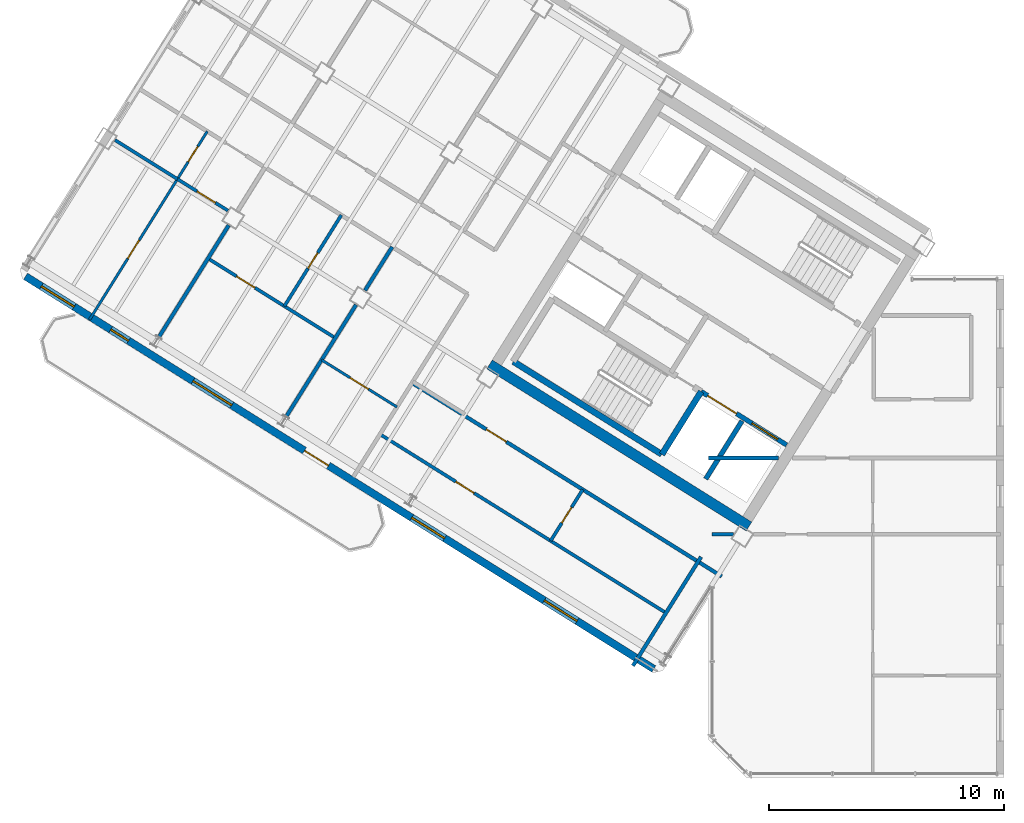
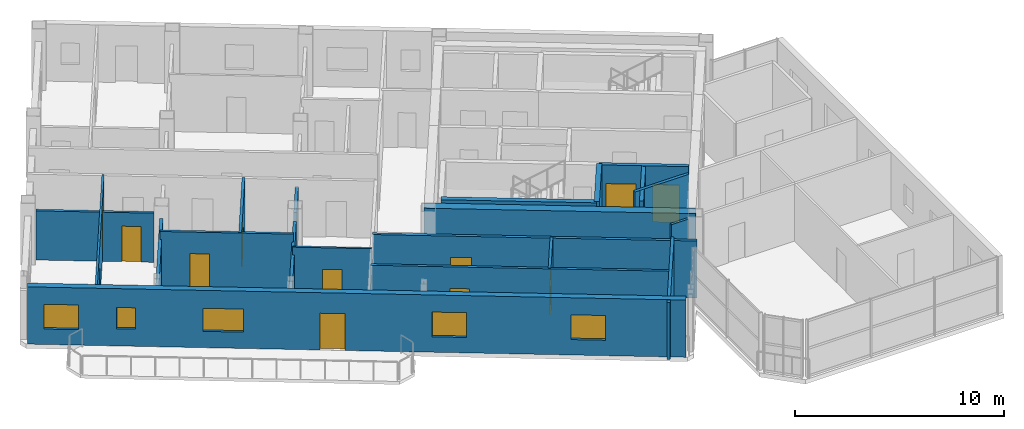
# One storey, part 8 of 14: 21 walls, 12 doors, 5 windows, 17 openings.
"""IFC4 building model written with IfcOpenShell, lengths in metres."""

from ifc_helpers import new_model, si_unit, direction, frame, frame_2d, origin, place, context, subcontext, project, spatial, rectangle, extrude, source, transform, mapped, material, layer, layer_set, type_object, element, fill, save


model = new_model("IFC4")

# Units and contexts
model_context = context("Model", 3, precision=1e-05, world=origin(), true_north=direction((0.0, 1.0)))
body_context = subcontext(model_context, "Body", "Model", "MODEL_VIEW")
ifc_project = project(units=[si_unit("LENGTHUNIT", "METRE"), si_unit("AREAUNIT", "SQUARE_METRE"), si_unit("VOLUMEUNIT", "CUBIC_METRE"), si_unit("PLANEANGLEUNIT", "RADIAN"), si_unit("MASSUNIT", "GRAM", prefix="KILO")], contexts=[model_context])

# Site, building, storey
site_placement = place(None, origin())
site = spatial("IfcSite", under=ifc_project, at=site_placement, CompositionType="ELEMENT")
building_placement = place(site_placement, origin())
building = spatial("IfcBuilding", under=site, at=building_placement, Name="Tlacorven Tower", CompositionType="ELEMENT")
storey_placement = place(building_placement, frame((0.0, 0.0, 273.60009765625)))
storey = spatial("IfcBuildingStorey", under=building, at=storey_placement, Name="L69", CompositionType="ELEMENT", Elevation=273.60009765625)

# Walls
ifc_material_1 = material(Name="Concrete C50/60", Category="concrete")
ifc_layer_1 = layer(ifc_material_1, 0.449951171875)
ifc_layer_set_1 = layer_set([ifc_layer_1], Name="Concrete C50/60")
wall_type_1 = type_object("IfcWallType", Name="WL-COR-450", PredefinedType="SHEAR", material=ifc_layer_set_1)
wall_1_placement = place(storey_placement, frame((33.32373046875, 12.5029296875, 0.0), z_axis=(0.0, 0.0, 1.0), x_axis=(-0.848043529849, 0.529926571782, 0.0)))
element("IfcWall", 1, at=wall_1_placement, inside=storey, type_object=wall_type_1, Name="L69 W core shear wall S2", PredefinedType="SHEAR", context=body_context, shape_type="SweptSolid", body=[
    extrude(rectangle(XDim=13.039794921875, YDim=0.449951171875, at=frame_2d((6.52001953125, 0.0))), origin(), (0.0, 0.0, 1.0), 3.349853515625),
])
ifc_material_2 = material(Name="Gypsum plasterboard acoustic partition", Category="gypsum")
ifc_layer_2 = layer(ifc_material_2, 0.159912109375)
ifc_layer_set_2 = layer_set([ifc_layer_2], Name="Gypsum plasterboard acoustic partition")
wall_type_2 = type_object("IfcWallType", Name="WL-DEM-160", PredefinedType="PARTITIONING", material=ifc_layer_set_2)
wall_2_placement = place(storey_placement, frame((18.114990234375, 24.423828125, 0.0), z_axis=(0.0, 0.0, 1.0), x_axis=(-0.529998940003, -0.847998304005, 0.0)))
element("IfcWall", 2, at=wall_2_placement, inside=storey, type_object=wall_type_2, Name="L69 WN Demising Wall 1", PredefinedType="PARTITIONING", context=body_context, shape_type="SweptSolid", body=[
    extrude(rectangle(XDim=2.18798828125, YDim=0.159912109375, at=frame_2d((1.093994140625, 0.0))), origin(), (0.0, 0.0, 1.0), 2.875),
])
for number, where, z_axis, x_axis, name in (
    (3, (16.57177734375, 21.954345703125, 0.0), (0.0, 0.0, 1.0), (-0.529904903214, -0.848057069748, 0.0), "L69 WN Demising Wall 1"),
    (4, (11.144287109375, 25.345947265625, 0.0), (0.0, 0.0, 1.0), (-0.529904903214, -0.848057069748, 0.0), "L69 WN Demising Wall 2"),
):
    element("IfcWall", number, at=place(storey_placement, frame(where, z_axis=z_axis, x_axis=x_axis)), inside=storey, type_object=wall_type_2, Name=name, PredefinedType="PARTITIONING", context=body_context, shape_type="SweptSolid", body=[
        extrude(rectangle(XDim=5.60107421875, YDim=0.159912109375, at=frame_2d((2.800537109375, 0.0))), origin(), (0.0, 0.0, 1.0), 2.875),
    ])

# Wall, opening, door
wall_3_placement = place(storey_placement, frame((32.164306640625, 10.373779296875, 0.0), z_axis=(0.0, 0.0, 1.0), x_axis=(-0.848044107957, 0.529925646633, 0.0)))
wall_3 = element("IfcWall", 5, at=wall_3_placement, inside=storey, type_object=wall_type_2, Name="L69 partition 45", PredefinedType="PARTITIONING", context=body_context, shape_type="SweptSolid", body=[
    extrude(rectangle(XDim=15.570068359375, YDim=0.159912109375, at=frame_2d((7.78515625, 0.0))), origin(), (0.0, 0.0, 1.0), 3.33984375),
])
opening_1_placement = place(wall_3_placement, frame((10.830078125, 0.0, 0.0)))
opening_1 = element("IfcOpeningElement", 6, at=opening_1_placement, cuts=wall_3, Name="Opening D11", PredefinedType="OPENING", context=body_context, shape_type="SweptSolid", body=[
    extrude(rectangle(XDim=1.0, YDim=2.10009765625, at=frame_2d((0.5, 1.050048828125))), frame((0.0, 0.08984375, 0.0), z_axis=(0.0, -1.0, 0.0), x_axis=(1.0, 0.0, 0.0)), (0.0, 0.0, 1.0), 0.179931640625),
])
ifc_material_3 = material(Name="Fire-rated steel door assembly", Category="steel")
door_type_1 = type_object("IfcDoorType", Name="DR-FLT-FD60-1000", OperationType="NOTDEFINED", PredefinedType="DOOR", material=ifc_material_3)
shared_shape_1 = source(origin(), body_context, "Body", "SweptSolid", [
    extrude(rectangle(XDim=1.0, YDim=2.10009765625, at=frame_2d((0.5, 1.050048828125))), frame((0.0, 0.02490234375, 0.0), z_axis=(0.0, -1.0, 0.0), x_axis=(1.0, 0.0, 0.0)), (0.0, 0.0, 1.0), 0.050048828125),
])
door_1_placement = place(opening_1_placement, origin())
door_1 = element("IfcDoor", 7, at=door_1_placement, inside=storey, type_object=door_type_1, Name="L69 door 033", OperationType="SINGLE_SWING_RIGHT", OverallHeight=2.10009765625, OverallWidth=1.0, PredefinedType="DOOR", context=body_context, shape_type="MappedRepresentation", body=[
    mapped(shared_shape_1, transform((0.0, 0.0, 0.0), scale=1.0)),
])
fill(opening_1, door_1)

# Walls
wall_4_placement = place(storey_placement, frame((31.282470703125, 11.2080078125, 0.0), z_axis=(0.0, 0.0, 1.0), x_axis=(-0.529938869374, -0.84803584519, 0.0)))
element("IfcWall", 8, at=wall_4_placement, inside=storey, type_object=wall_type_2, Name="L69 WC West Throat Wall", PredefinedType="PARTITIONING", context=body_context, shape_type="SweptSolid", body=[
    extrude(rectangle(XDim=5.47998046875, YDim=0.159912109375, at=frame_2d((2.739990234375, 0.0))), origin(), (0.0, 0.0, 1.0), 3.33984375),
])
wall_5_placement = place(storey_placement, frame((31.60009765625, 15.419921875, 0.0), z_axis=(0.0, 0.0, 1.0), x_axis=(1.0, 0.0, 0.0)))
element("IfcWall", 9, at=wall_5_placement, inside=storey, type_object=wall_type_2, Name="L69 Knuckle Corridor South Wall", PredefinedType="PARTITIONING", context=body_context, shape_type="SweptSolid", body=[
    extrude(rectangle(XDim=2.984130859375, YDim=0.159912109375, at=frame_2d((1.4921875, 0.0))), origin(), (0.0, 0.0, 1.0), 3.33984375),
])

# Wall, openings, door, windows
ifc_material_4 = material(Name="Precast concrete C45/55", Category="concrete")
ifc_layer_3 = layer(ifc_material_4, 0.320068359375)
ifc_layer_set_3 = layer_set([ifc_layer_3], Name="Precast concrete C45/55")
wall_type_3 = type_object("IfcWallType", Name="WL-EXT-320", PredefinedType="STANDARD", material=ifc_layer_set_3)
wall_6_placement = place(storey_placement, frame((29.267822265625, 6.429443359375, 0.0), z_axis=(0.0, 0.0, 1.0), x_axis=(-0.848049971435, 0.529916263149, 0.0)))
wall_6 = element("IfcWall", 10, at=wall_6_placement, inside=storey, type_object=wall_type_3, Name="L69 Masonry-Frame Recessed Facade Wall 2", PredefinedType="STANDARD", context=body_context, shape_type="SweptSolid", body=[
    extrude(rectangle(XDim=31.587646484375, YDim=0.320068359375, at=frame_2d((15.7939453125, 0.0))), origin(), (0.0, 0.0, 1.0), 3.349853515625),
])
opening_2_placement = place(wall_6_placement, frame((16.36181640625, 0.0, 0.0)))
opening_2 = element("IfcOpeningElement", 11, at=opening_2_placement, cuts=wall_6, Name="Opening D05", PredefinedType="OPENING", context=body_context, shape_type="SweptSolid", body=[
    extrude(rectangle(XDim=1.199951171875, YDim=2.14990234375, at=frame_2d((0.60009765625, 1.074951171875))), frame((0.0, 0.169921875, 0.0), z_axis=(0.0, -1.0, 0.0), x_axis=(1.0, 0.0, 0.0)), (0.0, 0.0, 1.0), 0.340087890625),
])
opening_3_placement = place(wall_6_placement, frame((3.858642578125, 0.0, 0.89990234375)))
opening_3 = element("IfcOpeningElement", 12, at=opening_3_placement, cuts=wall_6, Name="Opening WN07", PredefinedType="OPENING", context=body_context, shape_type="SweptSolid", body=[
    extrude(rectangle(XDim=1.64990234375, YDim=1.449951171875, at=frame_2d((0.824951171875, 0.72509765625))), frame((0.0, 0.169921875, 0.0), z_axis=(0.0, -1.0, 0.0), x_axis=(1.0, 0.0, 0.0)), (0.0, 0.0, 1.0), 0.340087890625),
])
opening_4_placement = place(wall_6_placement, frame((10.518798828125, 0.0, 0.89990234375)))
opening_4 = element("IfcOpeningElement", 13, at=opening_4_placement, cuts=wall_6, Name="Opening WN07", PredefinedType="OPENING", context=body_context, shape_type="SweptSolid", body=[
    extrude(rectangle(XDim=1.64990234375, YDim=1.449951171875, at=frame_2d((0.824951171875, 0.72509765625))), frame((0.0, 0.169921875, 0.0), z_axis=(0.0, -1.0, 0.0), x_axis=(1.0, 0.0, 0.0)), (0.0, 0.0, 1.0), 0.340087890625),
])
opening_5_placement = place(wall_6_placement, frame((21.21875, 0.0, 0.949951171875)))
opening_5 = element("IfcOpeningElement", 14, at=opening_5_placement, cuts=wall_6, Name="Opening WN09", PredefinedType="OPENING", context=body_context, shape_type="SweptSolid", body=[
    extrude(rectangle(XDim=1.949951171875, YDim=1.35009765625, at=frame_2d((0.97509765625, 0.675048828125))), frame((0.0, 0.169921875, 0.0), z_axis=(0.0, -1.0, 0.0), x_axis=(1.0, 0.0, 0.0)), (0.0, 0.0, 1.0), 0.340087890625),
])
opening_6_placement = place(wall_6_placement, frame((26.40625, 0.0, 1.0)))
opening_6 = element("IfcOpeningElement", 15, at=opening_6_placement, cuts=wall_6, Name="Opening WN05", PredefinedType="OPENING", context=body_context, shape_type="SweptSolid", body=[
    extrude(rectangle(XDim=0.89990234375, YDim=1.25, at=frame_2d((0.449951171875, 0.625))), frame((0.0, 0.169921875, 0.0), z_axis=(0.0, -1.0, 0.0), x_axis=(1.0, 0.0, 0.0)), (0.0, 0.0, 1.0), 0.340087890625),
])
opening_7_placement = place(wall_6_placement, frame((29.14306640625, 0.0, 0.89990234375)))
opening_7 = element("IfcOpeningElement", 16, at=opening_7_placement, cuts=wall_6, Name="Opening WN07", PredefinedType="OPENING", context=body_context, shape_type="SweptSolid", body=[
    extrude(rectangle(XDim=1.64990234375, YDim=1.449951171875, at=frame_2d((0.824951171875, 0.72509765625))), frame((0.0, 0.169921875, 0.0), z_axis=(0.0, -1.0, 0.0), x_axis=(1.0, 0.0, 0.0)), (0.0, 0.0, 1.0), 0.340087890625),
])
ifc_material_5 = material(Name="Powder-coated aluminium and timber door", Category="wood")
door_type_2 = type_object("IfcDoorType", Name="DR-EXT-BALC-1200", OperationType="NOTDEFINED", PredefinedType="DOOR", material=ifc_material_5)
shared_shape_2 = source(origin(), body_context, "Body", "SweptSolid", [
    extrude(rectangle(XDim=1.199951171875, YDim=2.14990234375, at=frame_2d((0.60009765625, 1.074951171875))), frame((0.0, 0.02490234375, 0.0), z_axis=(0.0, -1.0, 0.0), x_axis=(1.0, 0.0, 0.0)), (0.0, 0.0, 1.0), 0.050048828125),
])
door_2_placement = place(opening_2_placement, origin())
door_2 = element("IfcDoor", 17, at=door_2_placement, inside=storey, type_object=door_type_2, Name="L69 Outdoor Access Door BAL-L69-W-OUT", OperationType="SINGLE_SWING_LEFT", OverallHeight=2.14990234375, OverallWidth=1.199951171875, PredefinedType="DOOR", context=body_context, shape_type="MappedRepresentation", body=[
    mapped(shared_shape_2, transform((0.0, 0.0, 0.0), scale=1.0)),
])
fill(opening_2, door_2)
ifc_material_6 = material(Name="Dark solar low-E double glazing in anodised aluminium frame", Category="aluminium")
window_type_1 = type_object("IfcWindowType", Name="WN-APT-0900X1350", PartitioningType="SINGLE_PANEL", PredefinedType="WINDOW", material=ifc_material_6)
shared_shape_3 = source(origin(), body_context, "Body", "SweptSolid", [
    extrude(rectangle(XDim=0.89990234375, YDim=1.25, at=frame_2d((0.449951171875, 0.625))), frame((0.0, 0.030029296875, 0.0), z_axis=(0.0, -1.0, 0.0), x_axis=(1.0, 0.0, 0.0)), (0.0, 0.0, 1.0), 0.06005859375),
])
window_1_placement = place(opening_6_placement, origin())
window_1 = element("IfcWindow", 18, at=window_1_placement, inside=storey, type_object=window_type_1, Name="L69 Recessed Masonry-Frame Window L69-02.4", OverallHeight=1.25, OverallWidth=0.89990234375, PartitioningType="SINGLE_PANEL", PredefinedType="WINDOW", context=body_context, shape_type="MappedRepresentation", body=[
    mapped(shared_shape_3, transform((0.0, 0.0, 0.0), scale=1.0)),
])
fill(opening_6, window_1)
window_type_2 = type_object("IfcWindowType", Name="WN-APT-1650X1600", PartitioningType="SINGLE_PANEL", PredefinedType="WINDOW", material=ifc_material_6)
shared_shape_4 = source(origin(), body_context, "Body", "SweptSolid", [
    extrude(rectangle(XDim=1.64990234375, YDim=1.449951171875, at=frame_2d((0.824951171875, 0.72509765625))), frame((0.0, 0.030029296875, 0.0), z_axis=(0.0, -1.0, 0.0), x_axis=(1.0, 0.0, 0.0)), (0.0, 0.0, 1.0), 0.06005859375),
])
window_2_placement = place(opening_3_placement, origin())
window_2 = element("IfcWindow", 19, at=window_2_placement, inside=storey, type_object=window_type_2, Name="L69 Recessed Masonry-Frame Window L69-02.1", OverallHeight=1.449951171875, OverallWidth=1.64990234375, PartitioningType="SINGLE_PANEL", PredefinedType="WINDOW", context=body_context, shape_type="MappedRepresentation", body=[
    mapped(shared_shape_4, transform((0.0, 0.0, 0.0), scale=1.0)),
])
fill(opening_3, window_2)
window_3_placement = place(opening_4_placement, origin())
window_3 = element("IfcWindow", 20, at=window_3_placement, inside=storey, type_object=window_type_2, Name="L69 Recessed Masonry-Frame Window L69-02.2", OverallHeight=1.449951171875, OverallWidth=1.64990234375, PartitioningType="SINGLE_PANEL", PredefinedType="WINDOW", context=body_context, shape_type="MappedRepresentation", body=[
    mapped(shared_shape_4, transform((0.0, 0.0, 0.0), scale=1.0)),
])
fill(opening_4, window_3)
window_4_placement = place(opening_7_placement, origin())
window_4 = element("IfcWindow", 21, at=window_4_placement, inside=storey, type_object=window_type_2, Name="L69 Recessed Masonry-Frame Window L69-02.5", OverallHeight=1.449951171875, OverallWidth=1.64990234375, PartitioningType="SINGLE_PANEL", PredefinedType="WINDOW", context=body_context, shape_type="MappedRepresentation", body=[
    mapped(shared_shape_4, transform((0.0, 0.0, 0.0), scale=1.0)),
])
fill(opening_7, window_4)
window_type_3 = type_object("IfcWindowType", Name="WN-GAL-1950X1450", PartitioningType="SINGLE_PANEL", PredefinedType="WINDOW", material=ifc_material_6)
shared_shape_5 = source(origin(), body_context, "Body", "SweptSolid", [
    extrude(rectangle(XDim=1.949951171875, YDim=1.35009765625, at=frame_2d((0.97509765625, 0.675048828125))), frame((0.0, 0.030029296875, 0.0), z_axis=(0.0, -1.0, 0.0), x_axis=(1.0, 0.0, 0.0)), (0.0, 0.0, 1.0), 0.06005859375),
])
window_5_placement = place(opening_5_placement, origin())
window_5 = element("IfcWindow", 22, at=window_5_placement, inside=storey, type_object=window_type_3, Name="L69 Recessed Masonry-Frame Window L69-02.3", OverallHeight=1.35009765625, OverallWidth=1.949951171875, PartitioningType="SINGLE_PANEL", PredefinedType="WINDOW", context=body_context, shape_type="MappedRepresentation", body=[
    mapped(shared_shape_5, transform((0.0, 0.0, 0.0), scale=1.0)),
])
fill(opening_5, window_5)

# Wall, opening, door
ifc_material_7 = material(Name="Gypsum plasterboard partition", Category="gypsum")
ifc_layer_4 = layer(ifc_material_7, 0.110107421875)
ifc_layer_set_4 = layer_set([ifc_layer_4], Name="Gypsum plasterboard partition")
wall_type_4 = type_object("IfcWallType", Name="WL-INT-110", PredefinedType="PARTITIONING", material=ifc_layer_set_4)
wall_7_placement = place(storey_placement, frame((18.318115234375, 17.596923828125, 0.0), z_axis=(0.0, 0.0, 1.0), x_axis=(-0.848059820872, 0.529900500304, 0.0)))
wall_7 = element("IfcWall", 23, at=wall_7_placement, inside=storey, type_object=wall_type_4, Name="L69 partition 28", PredefinedType="PARTITIONING", context=body_context, shape_type="SweptSolid", body=[
    extrude(rectangle(XDim=3.7900390625, YDim=0.110107421875, at=frame_2d((1.89501953125, 0.0))), origin(), (0.0, 0.0, 1.0), 3.33984375),
])
opening_8_placement = place(wall_7_placement, frame((1.43505859375, 0.0, 0.0)))
opening_8 = element("IfcOpeningElement", 24, at=opening_8_placement, cuts=wall_7, Name="Opening D12", PredefinedType="OPENING", context=body_context, shape_type="SweptSolid", body=[
    extrude(rectangle(XDim=0.919921875, YDim=2.080078125, at=frame_2d((0.4599609375, 1.0400390625))), frame((0.0, 0.06494140625, 0.0), z_axis=(0.0, -1.0, 0.0), x_axis=(1.0, 0.0, 0.0)), (0.0, 0.0, 1.0), 0.130126953125),
])
door_type_3 = type_object("IfcDoorType", Name="DR-INT-ROOM-0920", OperationType="NOTDEFINED", PredefinedType="DOOR", material=ifc_material_5)
shared_shape_6 = source(origin(), body_context, "Body", "SweptSolid", [
    extrude(rectangle(XDim=0.919921875, YDim=2.080078125, at=frame_2d((0.4599609375, 1.0400390625))), frame((0.0, 0.02490234375, 0.0), z_axis=(0.0, -1.0, 0.0), x_axis=(1.0, 0.0, 0.0)), (0.0, 0.0, 1.0), 0.050048828125),
])
door_3_placement = place(opening_8_placement, origin())
door_3 = element("IfcDoor", 25, at=door_3_placement, inside=storey, type_object=door_type_3, Name="L69 door 014", OperationType="SINGLE_SWING_LEFT", OverallHeight=2.080078125, OverallWidth=0.919921875, PredefinedType="DOOR", context=body_context, shape_type="MappedRepresentation", body=[
    mapped(shared_shape_6, transform((0.0, 0.0, 0.0), scale=1.0)),
])
fill(opening_8, door_3)

# Wall, openings, doors
wall_8_placement = place(storey_placement, frame((10.22802734375, 29.35205078125, 0.0), z_axis=(0.0, 0.0, 1.0), x_axis=(-0.529917830441, -0.848048992088, 0.0)))
wall_8 = element("IfcWall", 26, at=wall_8_placement, inside=storey, type_object=wall_type_4, Name="L69 partition 32", PredefinedType="PARTITIONING", context=body_context, shape_type="SweptSolid", body=[
    extrude(rectangle(XDim=9.469970703125, YDim=0.110107421875, at=frame_2d((4.73486328125, 0.0))), origin(), (0.0, 0.0, 1.0), 3.33984375),
])
opening_9_placement = place(wall_8_placement, frame((0.760009765625, 0.0, 0.0)))
opening_9 = element("IfcOpeningElement", 27, at=opening_9_placement, cuts=wall_8, Name="Opening D22", PredefinedType="OPENING", context=body_context, shape_type="SweptSolid", body=[
    extrude(rectangle(XDim=0.780029296875, YDim=2.050048828125, at=frame_2d((0.39013671875, 1.02490234375))), frame((0.0, 0.06494140625, 0.0), z_axis=(0.0, -1.0, 0.0), x_axis=(1.0, 0.0, 0.0)), (0.0, 0.0, 1.0), 0.130126953125),
])
opening_10_placement = place(wall_8_placement, frame((5.47509765625, 0.0, 0.0)))
opening_10 = element("IfcOpeningElement", 28, at=opening_10_placement, cuts=wall_8, Name="Opening D12", PredefinedType="OPENING", context=body_context, shape_type="SweptSolid", body=[
    extrude(rectangle(XDim=0.919921875, YDim=2.080078125, at=frame_2d((0.4599609375, 1.0400390625))), frame((0.0, 0.06494140625, 0.0), z_axis=(0.0, -1.0, 0.0), x_axis=(1.0, 0.0, 0.0)), (0.0, 0.0, 1.0), 0.130126953125),
])
door_type_4 = type_object("IfcDoorType", Name="DR-INT-WET-0780", OperationType="NOTDEFINED", PredefinedType="DOOR", material=ifc_material_5)
shared_shape_7 = source(origin(), body_context, "Body", "SweptSolid", [
    extrude(rectangle(XDim=0.780029296875, YDim=2.050048828125, at=frame_2d((0.39013671875, 1.02490234375))), frame((0.0, 0.02490234375, 0.0), z_axis=(0.0, -1.0, 0.0), x_axis=(1.0, 0.0, 0.0)), (0.0, 0.0, 1.0), 0.050048828125),
])
door_4_placement = place(opening_9_placement, origin())
door_4 = element("IfcDoor", 29, at=door_4_placement, inside=storey, type_object=door_type_4, Name="L69 door 021", OperationType="SINGLE_SWING_RIGHT", OverallHeight=2.050048828125, OverallWidth=0.780029296875, PredefinedType="DOOR", context=body_context, shape_type="MappedRepresentation", body=[
    mapped(shared_shape_7, transform((0.0, 0.0, 0.0), scale=1.0)),
])
fill(opening_9, door_4)
door_5_placement = place(opening_10_placement, origin())
door_5 = element("IfcDoor", 30, at=door_5_placement, inside=storey, type_object=door_type_3, Name="L69 door 022", OperationType="SINGLE_SWING_LEFT", OverallHeight=2.080078125, OverallWidth=0.919921875, PredefinedType="DOOR", context=body_context, shape_type="MappedRepresentation", body=[
    mapped(shared_shape_6, transform((0.0, 0.0, 0.0), scale=1.0)),
])
fill(opening_10, door_5)

# Wall, opening, door
ifc_material_8 = material(Name="Moisture-resistant gypsum plumbing wall", Category="gypsum")
ifc_layer_5 = layer(ifc_material_8, 0.139892578125)
ifc_layer_set_5 = layer_set([ifc_layer_5], Name="Moisture-resistant gypsum plumbing wall")
wall_type_5 = type_object("IfcWallType", Name="WL-PLM-140", PredefinedType="PLUMBINGWALL", material=ifc_layer_set_5)
wall_9_placement = place(storey_placement, frame((15.68798828125, 20.539794921875, 0.0), z_axis=(0.0, 0.0, 1.0), x_axis=(-0.848049732085, 0.529916646191, 0.0)))
wall_9 = element("IfcWall", 31, at=wall_9_placement, inside=storey, type_object=wall_type_5, Name="L69 partition 30", PredefinedType="PLUMBINGWALL", context=body_context, shape_type="SweptSolid", body=[
    extrude(rectangle(XDim=6.400146484375, YDim=0.139892578125, at=frame_2d((3.2001953125, 0.0))), origin(), (0.0, 0.0, 1.0), 3.33984375),
])
opening_11_placement = place(wall_9_placement, frame((4.0400390625, 0.0, 0.0)))
opening_11 = element("IfcOpeningElement", 32, at=opening_11_placement, cuts=wall_9, Name="Opening D12", PredefinedType="OPENING", context=body_context, shape_type="SweptSolid", body=[
    extrude(rectangle(XDim=0.919921875, YDim=2.080078125, at=frame_2d((0.4599609375, 1.0400390625))), frame((0.0, 0.080078125, 0.0), z_axis=(0.0, -1.0, 0.0), x_axis=(1.0, 0.0, 0.0)), (0.0, 0.0, 1.0), 0.159912109375),
])
door_6_placement = place(opening_11_placement, origin())
door_6 = element("IfcDoor", 33, at=door_6_placement, inside=storey, type_object=door_type_3, Name="L69 door 016", OperationType="SINGLE_SWING_LEFT", OverallHeight=2.080078125, OverallWidth=0.919921875, PredefinedType="DOOR", context=body_context, shape_type="MappedRepresentation", body=[
    mapped(shared_shape_6, transform((0.0, 0.0, 0.0), scale=1.0)),
])
fill(opening_11, door_6)

wall_10_placement = place(storey_placement, frame((15.94384765625, 25.780517578125, 0.0), z_axis=(0.0, 0.0, 1.0), x_axis=(-0.529917480809, -0.848049210561, 0.0)))
wall_10 = element("IfcWall", 34, at=wall_10_placement, inside=storey, type_object=wall_type_5, Name="L69 partition 31", PredefinedType="PLUMBINGWALL", context=body_context, shape_type="SweptSolid", body=[
    extrude(rectangle(XDim=4.580078125, YDim=0.139892578125, at=frame_2d((2.2900390625, 0.0))), origin(), (0.0, 0.0, 1.0), 3.33984375),
])
opening_12_placement = place(wall_10_placement, frame((1.89990234375, 0.0, 0.0)))
opening_12 = element("IfcOpeningElement", 35, at=opening_12_placement, cuts=wall_10, Name="Opening D22", PredefinedType="OPENING", context=body_context, shape_type="SweptSolid", body=[
    extrude(rectangle(XDim=0.780029296875, YDim=2.050048828125, at=frame_2d((0.39013671875, 1.02490234375))), frame((0.0, 0.080078125, 0.0), z_axis=(0.0, -1.0, 0.0), x_axis=(1.0, 0.0, 0.0)), (0.0, 0.0, 1.0), 0.159912109375),
])
door_7_placement = place(opening_12_placement, origin())
door_7 = element("IfcDoor", 36, at=door_7_placement, inside=storey, type_object=door_type_4, Name="L69 door 017", OperationType="SINGLE_SWING_RIGHT", OverallHeight=2.050048828125, OverallWidth=0.780029296875, PredefinedType="DOOR", context=body_context, shape_type="MappedRepresentation", body=[
    mapped(shared_shape_7, transform((0.0, 0.0, 0.0), scale=1.0)),
])
fill(opening_12, door_7)

wall_11_placement = place(storey_placement, frame((11.108642578125, 25.971923828125, 0.0), z_axis=(0.0, 0.0, 1.0), x_axis=(-0.848041534199, 0.529929765415, 0.0)))
wall_11 = element("IfcWall", 37, at=wall_11_placement, inside=storey, type_object=wall_type_5, Name="L69 partition 34", PredefinedType="PLUMBINGWALL", context=body_context, shape_type="SweptSolid", body=[
    extrude(rectangle(XDim=2.5380859375, YDim=0.139892578125, at=frame_2d((1.26904296875, 0.0))), origin(), (0.0, 0.0, 1.0), 2.875),
])
opening_13_placement = place(wall_11_placement, frame((0.6279296875, 0.0, 0.0)))
opening_13 = element("IfcOpeningElement", 38, at=opening_13_placement, cuts=wall_11, Name="Opening D12", PredefinedType="OPENING", context=body_context, shape_type="SweptSolid", body=[
    extrude(rectangle(XDim=0.919921875, YDim=2.080078125, at=frame_2d((0.4599609375, 1.0400390625))), frame((0.0, 0.080078125, 0.0), z_axis=(0.0, -1.0, 0.0), x_axis=(1.0, 0.0, 0.0)), (0.0, 0.0, 1.0), 0.159912109375),
])
door_8_placement = place(opening_13_placement, origin())
door_8 = element("IfcDoor", 39, at=door_8_placement, inside=storey, type_object=door_type_3, Name="L69 door 020", OperationType="SINGLE_SWING_RIGHT", OverallHeight=2.080078125, OverallWidth=0.919921875, PredefinedType="DOOR", context=body_context, shape_type="MappedRepresentation", body=[
    mapped(shared_shape_6, transform((0.0, 0.0, 0.0), scale=1.0)),
])
fill(opening_13, door_8)

# Wall
wall_12_placement = place(storey_placement, frame((8.956298828125, 27.31689453125, 0.0), z_axis=(0.0, 0.0, 1.0), x_axis=(-0.848050751193, 0.529915015264, 0.0)))
element("IfcWall", 40, at=wall_12_placement, inside=storey, type_object=wall_type_5, Name="L69 partition 35", PredefinedType="PLUMBINGWALL", context=body_context, shape_type="SweptSolid", body=[
    extrude(rectangle(XDim=3.137939453125, YDim=0.139892578125, at=frame_2d((1.56884765625, 0.0))), origin(), (0.0, 0.0, 1.0), 2.875),
])

# Wall, opening, door
wall_13_placement = place(storey_placement, frame((29.72021484375, 8.85888671875, 0.0), z_axis=(0.0, 0.0, 1.0), x_axis=(-0.848049134363, 0.529917602752, 0.0)))
wall_13 = element("IfcWall", 41, at=wall_13_placement, inside=storey, type_object=wall_type_5, Name="L69 partition 47", PredefinedType="PLUMBINGWALL", context=body_context, shape_type="SweptSolid", body=[
    extrude(rectangle(XDim=14.300048828125, YDim=0.139892578125, at=frame_2d((7.14990234375, 0.0))), origin(), (0.0, 0.0, 1.0), 3.33984375),
])
opening_14_placement = place(wall_13_placement, frame((9.570068359375, 0.0, 0.0)))
opening_14 = element("IfcOpeningElement", 42, at=opening_14_placement, cuts=wall_13, Name="Opening D12", PredefinedType="OPENING", context=body_context, shape_type="SweptSolid", body=[
    extrude(rectangle(XDim=0.919921875, YDim=2.080078125, at=frame_2d((0.4599609375, 1.0400390625))), frame((0.0, 0.080078125, 0.0), z_axis=(0.0, -1.0, 0.0), x_axis=(1.0, 0.0, 0.0)), (0.0, 0.0, 1.0), 0.159912109375),
])
door_9_placement = place(opening_14_placement, origin())
door_9 = element("IfcDoor", 43, at=door_9_placement, inside=storey, type_object=door_type_3, Name="L69 door 034", OperationType="SINGLE_SWING_LEFT", OverallHeight=2.080078125, OverallWidth=0.919921875, PredefinedType="DOOR", context=body_context, shape_type="MappedRepresentation", body=[
    mapped(shared_shape_6, transform((0.0, 0.0, 0.0), scale=1.0)),
])
fill(opening_14, door_9)

wall_14_placement = place(storey_placement, frame((26.236572265625, 14.077880859375, 0.0), z_axis=(0.0, 0.0, 1.0), x_axis=(-0.52995640672, -0.848024885824, 0.0)))
wall_14 = element("IfcWall", 44, at=wall_14_placement, inside=storey, type_object=wall_type_5, Name="L69 partition 48", PredefinedType="PLUMBINGWALL", context=body_context, shape_type="SweptSolid", body=[
    extrude(rectangle(XDim=2.579833984375, YDim=0.139892578125, at=frame_2d((1.2900390625, 0.0))), origin(), (0.0, 0.0, 1.0), 3.33984375),
])
opening_15_placement = place(wall_14_placement, frame((0.89990234375, 0.0, 0.0)))
opening_15 = element("IfcOpeningElement", 45, at=opening_15_placement, cuts=wall_14, Name="Opening D22", PredefinedType="OPENING", context=body_context, shape_type="SweptSolid", body=[
    extrude(rectangle(XDim=0.780029296875, YDim=2.050048828125, at=frame_2d((0.39013671875, 1.02490234375))), frame((0.0, 0.080078125, 0.0), z_axis=(0.0, -1.0, 0.0), x_axis=(1.0, 0.0, 0.0)), (0.0, 0.0, 1.0), 0.159912109375),
])
door_10_placement = place(opening_15_placement, origin())
door_10 = element("IfcDoor", 46, at=door_10_placement, inside=storey, type_object=door_type_4, Name="L69 door 035", OperationType="SINGLE_SWING_RIGHT", OverallHeight=2.050048828125, OverallWidth=0.780029296875, PredefinedType="DOOR", context=body_context, shape_type="MappedRepresentation", body=[
    mapped(shared_shape_7, transform((0.0, 0.0, 0.0), scale=1.0)),
])
fill(opening_15, door_10)

# Wall
wall_15_placement = place(storey_placement, frame((31.739990234375, 12.169921875, 0.0), z_axis=(0.0, 0.0, 1.0), x_axis=(1.0, 0.0, 0.0)))
element("IfcWall", 47, at=wall_15_placement, inside=storey, type_object=wall_type_5, Name="L69 partition 56", PredefinedType="PLUMBINGWALL", context=body_context, shape_type="SweptSolid", body=[
    extrude(rectangle(XDim=0.93115234375, YDim=0.139892578125, at=frame_2d((0.465576171875, 0.0))), origin(), (0.0, 0.0, 1.0), 3.33984375),
])

# Wall, openings, doors
ifc_material_9 = material(Name="Concrete C40/50", Category="concrete")
ifc_layer_6 = layer(ifc_material_9, 0.199951171875)
ifc_layer_set_6 = layer_set([ifc_layer_6], Name="Concrete C40/50")
wall_type_6 = type_object("IfcWallType", Name="WL-SHF-200", PredefinedType="STANDARD", material=ifc_layer_set_6)
wall_16_placement = place(storey_placement, frame((34.93310546875, 15.978271484375, 0.0), z_axis=(0.0, 0.0, 1.0), x_axis=(-0.848055739377, 0.529907032327, 0.0)))
wall_16 = element("IfcWall", 48, at=wall_16_placement, inside=storey, type_object=wall_type_6, Name="L69 Core W Firefighting Lift Shaft Front Wall", PredefinedType="STANDARD", context=body_context, shape_type="SweptSolid", body=[
    extrude(rectangle(XDim=4.298095703125, YDim=0.199951171875, at=frame_2d((2.14892578125, 0.0))), origin(), (0.0, 0.0, 1.0), 3.33984375),
])
opening_16_placement = place(wall_16_placement, frame((0.447998046875, 0.0, 0.0)))
opening_16 = element("IfcOpeningElement", 49, at=opening_16_placement, cuts=wall_16, Name="Opening LD03", PredefinedType="OPENING", context=body_context, shape_type="SweptSolid", body=[
    extrude(rectangle(XDim=1.300048828125, YDim=2.199951171875, at=frame_2d((0.64990234375, 1.10009765625))), frame((0.0, 0.10986328125, 0.0), z_axis=(0.0, -1.0, 0.0), x_axis=(1.0, 0.0, 0.0)), (0.0, 0.0, 1.0), 0.219970703125),
])
opening_17_placement = place(wall_16_placement, frame((2.52294921875, 0.0, 0.0)))
opening_17 = element("IfcOpeningElement", 50, at=opening_17_placement, cuts=wall_16, Name="Opening LD04", PredefinedType="OPENING", context=body_context, shape_type="SweptSolid", body=[
    extrude(rectangle(XDim=1.449951171875, YDim=2.25, at=frame_2d((0.72509765625, 1.125))), frame((0.0, 0.10986328125, 0.0), z_axis=(0.0, -1.0, 0.0), x_axis=(1.0, 0.0, 0.0)), (0.0, 0.0, 1.0), 0.219970703125),
])
door_type_5 = type_object("IfcDoorType", Name="DR-LFT-SLID-1300", OperationType="DOUBLE_DOOR_SLIDING", PredefinedType="DOOR", material=ifc_material_3)
shared_shape_8 = source(origin(), body_context, "Body", "SweptSolid", [
    extrude(rectangle(XDim=1.300048828125, YDim=2.199951171875, at=frame_2d((0.64990234375, 1.10009765625))), frame((0.0, 0.02490234375, 0.0), z_axis=(0.0, -1.0, 0.0), x_axis=(1.0, 0.0, 0.0)), (0.0, 0.0, 1.0), 0.050048828125),
])
door_11_placement = place(opening_16_placement, origin())
door_11 = element("IfcDoor", 51, at=door_11_placement, inside=storey, type_object=door_type_5, Name="L69 Lift FFL-W1 Sliding Landing Door", OperationType="DOUBLE_DOOR_SLIDING", OverallHeight=2.199951171875, OverallWidth=1.300048828125, PredefinedType="DOOR", context=body_context, shape_type="MappedRepresentation", body=[
    mapped(shared_shape_8, transform((0.0, 0.0, 0.0), scale=1.0)),
])
fill(opening_16, door_11)
door_type_6 = type_object("IfcDoorType", Name="DR-LFT-SLID-1450", OperationType="DOUBLE_DOOR_SLIDING", PredefinedType="DOOR", material=ifc_material_3)
shared_shape_9 = source(origin(), body_context, "Body", "SweptSolid", [
    extrude(rectangle(XDim=1.449951171875, YDim=2.25, at=frame_2d((0.72509765625, 1.125))), frame((0.0, 0.02490234375, 0.0), z_axis=(0.0, -1.0, 0.0), x_axis=(1.0, 0.0, 0.0)), (0.0, 0.0, 1.0), 0.050048828125),
])
door_12_placement = place(opening_17_placement, origin())
door_12 = element("IfcDoor", 52, at=door_12_placement, inside=storey, type_object=door_type_6, Name="L69 Lift SVL-W1 Sliding Landing Door", OperationType="DOUBLE_DOOR_SLIDING", OverallHeight=2.25, OverallWidth=1.449951171875, PredefinedType="DOOR", context=body_context, shape_type="MappedRepresentation", body=[
    mapped(shared_shape_9, transform((0.0, 0.0, 0.0), scale=1.0)),
])
fill(opening_17, door_12)

# Walls
wall_17_placement = place(storey_placement, frame((33.02880859375, 17.003173828125, 0.0), z_axis=(0.0, 0.0, 1.0), x_axis=(-0.529916267533, -0.848049968695, 0.0)))
element("IfcWall", 53, at=wall_17_placement, inside=storey, type_object=wall_type_6, Name="L69 partition 11", PredefinedType="STANDARD", context=body_context, shape_type="SweptSolid", body=[
    extrude(rectangle(XDim=2.919921875, YDim=0.199951171875, at=frame_2d((1.4599609375, 0.0))), origin(), (0.0, 0.0, 1.0), 3.33984375),
])
ifc_layer_7 = layer(ifc_material_1, 0.260009765625)
ifc_layer_set_7 = layer_set([ifc_layer_7], Name="Concrete C50/60")
wall_type_7 = type_object("IfcWallType", Name="WL-STW-260", PredefinedType="SHEAR", material=ifc_layer_set_7)
wall_18_placement = place(storey_placement, frame((29.60498046875, 15.581298828125, 0.0), z_axis=(0.0, 0.0, 1.0), x_axis=(-0.848036911448, 0.529937163087, 0.0)))
element("IfcWall", 54, at=wall_18_placement, inside=storey, type_object=wall_type_7, Name="L69 Stair W1 Far Shear Wall", PredefinedType="SHEAR", context=body_context, shape_type="SweptSolid", body=[
    extrude(rectangle(XDim=7.4599609375, YDim=0.260009765625, at=frame_2d((3.72998046875, 0.0))), origin(), (0.0, 0.0, 1.0), 3.349853515625),
])
wall_19_placement = place(storey_placement, frame((31.2880859375, 18.255859375, 0.0), z_axis=(0.0, 0.0, 1.0), x_axis=(-0.529943379326, -0.848033026897, 0.0)))
element("IfcWall", 55, at=wall_19_placement, inside=storey, type_object=wall_type_7, Name="L69 Stair W1 West Shear Wall", PredefinedType="SHEAR", context=body_context, shape_type="SweptSolid", body=[
    extrude(rectangle(XDim=3.159912109375, YDim=0.260009765625, at=frame_2d((1.580078125, 0.0))), origin(), (0.0, 0.0, 1.0), 3.349853515625),
])

save(model, "model.ifc")
